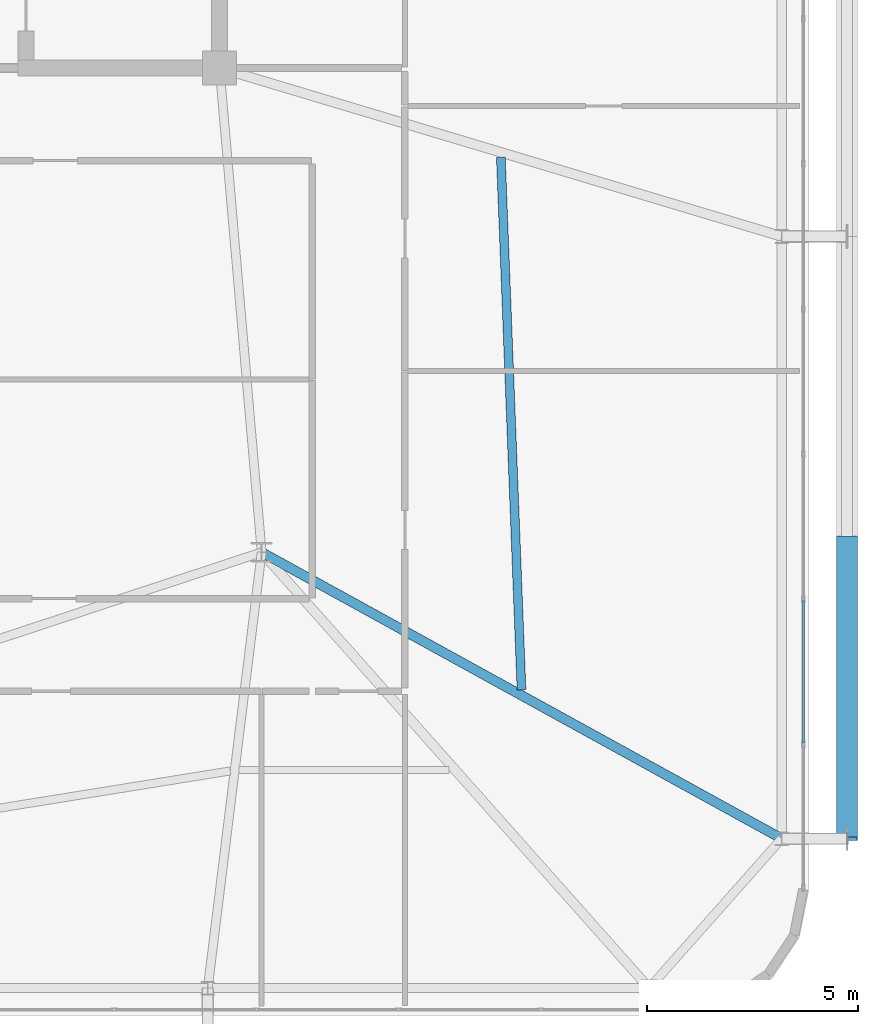
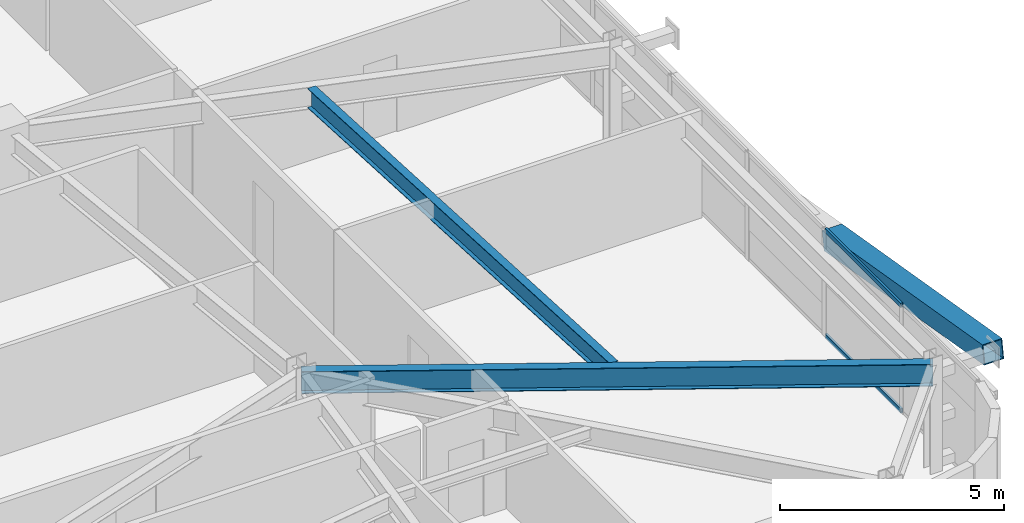
# One storey, part 25 of 59: 3 members, 2 beams, 1 element without a shape of its own.
"""IFC4 building model written with IfcOpenShell, lengths in metres."""

from ifc_helpers import new_model, si_unit, direction, frame, origin, origin_2d, place, context, subcontext, project, spatial, hollow_rectangle, i_section, extrude, source, transform, mapped, material, layer, layer_set, material_profile, profile_set, type_object, element, aggregate, save


model = new_model("IFC4")

# Units and contexts
model_context = context("Model", 3, precision=1e-05, world=origin(), true_north=direction((0.0, 1.0)))
body_context = subcontext(model_context, "Body", "Model", "MODEL_VIEW")
ifc_project = project(units=[si_unit("LENGTHUNIT", "METRE"), si_unit("AREAUNIT", "SQUARE_METRE"), si_unit("VOLUMEUNIT", "CUBIC_METRE"), si_unit("PLANEANGLEUNIT", "RADIAN"), si_unit("MASSUNIT", "GRAM", prefix="KILO")], contexts=[model_context])

# Site, building, storey
site_placement = place(None, origin())
site = spatial("IfcSite", under=ifc_project, at=site_placement, CompositionType="ELEMENT")
building_placement = place(site_placement, origin())
building = spatial("IfcBuilding", under=site, at=building_placement, Name="Taldren Reach Tower", CompositionType="ELEMENT")
storey_placement = place(building_placement, frame((0.0, 0.0, 45.14990234375)))
storey = spatial("IfcBuildingStorey", under=building, at=storey_placement, Name="L13", CompositionType="ELEMENT", Elevation=45.14990234375)

# Beams
ifc_material_1 = material(Name="Steel Gr 350 (350PLUS)", Category="steel")
ifc_material_profile_1 = material_profile(ifc_material_1, i_section(OverallWidth=0.22802734375, OverallDepth=0.60205078125, WebThickness=0.010498046875, FlangeThickness=0.014892578125, at=origin_2d()), Name="610UB101")
ifc_profile_set_1 = profile_set([ifc_material_profile_1], Name="Steel Gr 350 (350PLUS)")
beam_type_1 = type_object("IfcBeamType", Name="BM-UB610B", PredefinedType="BEAM", material=ifc_profile_set_1)
shared_shape_1 = source(origin(), body_context, "Body", "SweptSolid", [
    extrude(i_section(OverallWidth=0.22802734375, OverallDepth=0.60205078125, WebThickness=0.010498046875, FlangeThickness=0.014892578125, at=origin_2d()), origin(), (0.0, 0.0, 1.0), 14.098388671875),
])
beam_1_placement = place(storey_placement, frame((52.0, 12.5, 2.629150390625), z_axis=(0.875991325783, -0.482326857175, 0.0), x_axis=(0.482326857175, 0.875991325783, 0.0)))
element("IfcBeam", 1, at=beam_1_placement, inside=storey, type_object=beam_type_1, Name="Primary floor girder B1-E1 L13", PredefinedType="BEAM", context=body_context, shape_type="MappedRepresentation", body=[
    mapped(shared_shape_1, transform((0.0, 0.0, 0.0), scale=1.0)),
])
ifc_material_profile_2 = material_profile(ifc_material_1, i_section(OverallWidth=0.208984375, OverallDepth=0.532958984375, WebThickness=0.01025390625, FlangeThickness=0.015625, at=origin_2d()), Name="530UB92.4")
ifc_profile_set_2 = profile_set([ifc_material_profile_2], Name="Steel Gr 350 (350PLUS)")
beam_type_2 = type_object("IfcBeamType", Name="BM-UB530A", PredefinedType="BEAM", material=ifc_profile_set_2)
shared_shape_2 = source(origin(), body_context, "Body", "SweptSolid", [
    extrude(i_section(OverallWidth=0.208984375, OverallDepth=0.532958984375, WebThickness=0.01025390625, FlangeThickness=0.015625, at=origin_2d()), origin(), (0.0, 0.0, 1.0), 12.65625),
])
beam_2_placement = place(storey_placement, frame((58.169921875, 9.23291015625, 2.66357421875), z_axis=(-0.0387346395, 0.99924953225, 0.0), x_axis=(-0.99924953225, -0.0387346395, 0.0)))
element("IfcBeam", 2, at=beam_2_placement, inside=storey, type_object=beam_type_2, Name="Secondary floor beam B1 J7 L13", PredefinedType="BEAM", context=body_context, shape_type="MappedRepresentation", body=[
    mapped(shared_shape_2, transform((0.0, 0.0, 0.0), scale=1.0)),
])

# Member
ifc_material_2 = material(Name="Steel Gr 450 (C450L0)", Category="steel")
ifc_material_profile_3 = material_profile(ifc_material_2, hollow_rectangle(XDim=0.510009765625, YDim=0.510009765625, WallThickness=0.02001953125, at=origin_2d()), Name="510x510x20.0SHS")
ifc_profile_set_3 = profile_set([ifc_material_profile_3], Name="Steel Gr 450 (C450L0)")
member_type_1 = type_object("IfcMemberType", Name="MB-EXO508", PredefinedType="BRACE", material=ifc_profile_set_3)
shared_shape_3 = source(origin(), body_context, "Body", "SweptSolid", [
    extrude(hollow_rectangle(XDim=0.510009765625, YDim=0.510009765625, WallThickness=0.02001953125, at=origin_2d()), origin(), (0.0, 0.0, 1.0), 7.252685546875),
])
member_1_placement = place(storey_placement, frame((65.89990234375, 12.85009765625, 1.43505859375), z_axis=(0.0, -0.985865800628, 0.167536930711), x_axis=(1.0, 0.0, 0.0)))
element("IfcMember", 3, at=member_1_placement, inside=storey, type_object=member_type_1, Name="Exoskeleton Diagrid Brace B1-E1 L13", PredefinedType="BRACE", context=body_context, shape_type="MappedRepresentation", body=[
    mapped(shared_shape_3, transform((0.0, 0.0, 0.0), scale=1.0)),
])

# Curtain wall, members
ifc_material_3 = material(Name="Aluminium and Low-E Glass Unitised System", Category="aluminium")
ifc_layer = layer(ifc_material_3, 0.159912109375)
ifc_layer_set = layer_set([ifc_layer], Name="Aluminium and Low-E Glass Unitised System")
curtain_wall_type = type_object("IfcCurtainWallType", Name="CW-SYS-2", PredefinedType="NOTDEFINED", material=ifc_layer_set)
curtain_wall_placement = place(storey_placement, origin())
curtain_wall = element("IfcCurtainWall", 4, at=curtain_wall_placement, inside=storey, type_object=curtain_wall_type, Name="Unitised curtain wall CW-L13-E", PredefinedType="NOTDEFINED")
ifc_material_4 = material(Name="Anodised Aluminium 6063-T6", Category="aluminium")
ifc_material_profile_4 = material_profile(ifc_material_4, hollow_rectangle(XDim=0.054931640625, YDim=0.1201171875, WallThickness=0.0029296875, at=origin_2d()), Name="ALU-120x55x3RHS")
ifc_profile_set_4 = profile_set([ifc_material_profile_4], Name="Anodised Aluminium 6063-T6")
member_type_2 = type_object("IfcMemberType", Name="CW-TRN-135", PredefinedType="USERDEFINED", material=ifc_profile_set_4)
shared_shape_4 = source(origin(), body_context, "Body", "SweptSolid", [
    extrude(hollow_rectangle(XDim=0.054931640625, YDim=0.1201171875, WallThickness=0.0029296875, at=origin_2d()), origin(), (0.0, 0.0, 1.0), 3.37939453125),
])
member_2_placement = place(storey_placement, frame((64.860107421875, 7.97705078125, 0.027587890625), z_axis=(0.0, 1.0, 0.0), x_axis=(-1.0, 0.0, 0.0)))
member_2 = element("IfcMember", 5, at=member_2_placement, type_object=member_type_2, Name="CW-2 transom 2.1", ObjectType="TRANSOM", PredefinedType="USERDEFINED", context=body_context, shape_type="MappedRepresentation", body=[
    mapped(shared_shape_4, transform((0.0, 0.0, 0.0), scale=1.0)),
])
member_3_placement = place(storey_placement, frame((64.860107421875, 7.97705078125, 2.902587890625), z_axis=(0.0, 1.0, 0.0), x_axis=(-1.0, 0.0, 0.0)))
member_3 = element("IfcMember", 6, at=member_3_placement, type_object=member_type_2, Name="CW-2 transom 2.2", ObjectType="TRANSOM", PredefinedType="USERDEFINED", context=body_context, shape_type="MappedRepresentation", body=[
    mapped(shared_shape_4, transform((0.0, 0.0, 0.0), scale=1.0)),
])
aggregate(curtain_wall, [member_2, member_3])

save(model, "model.ifc")
